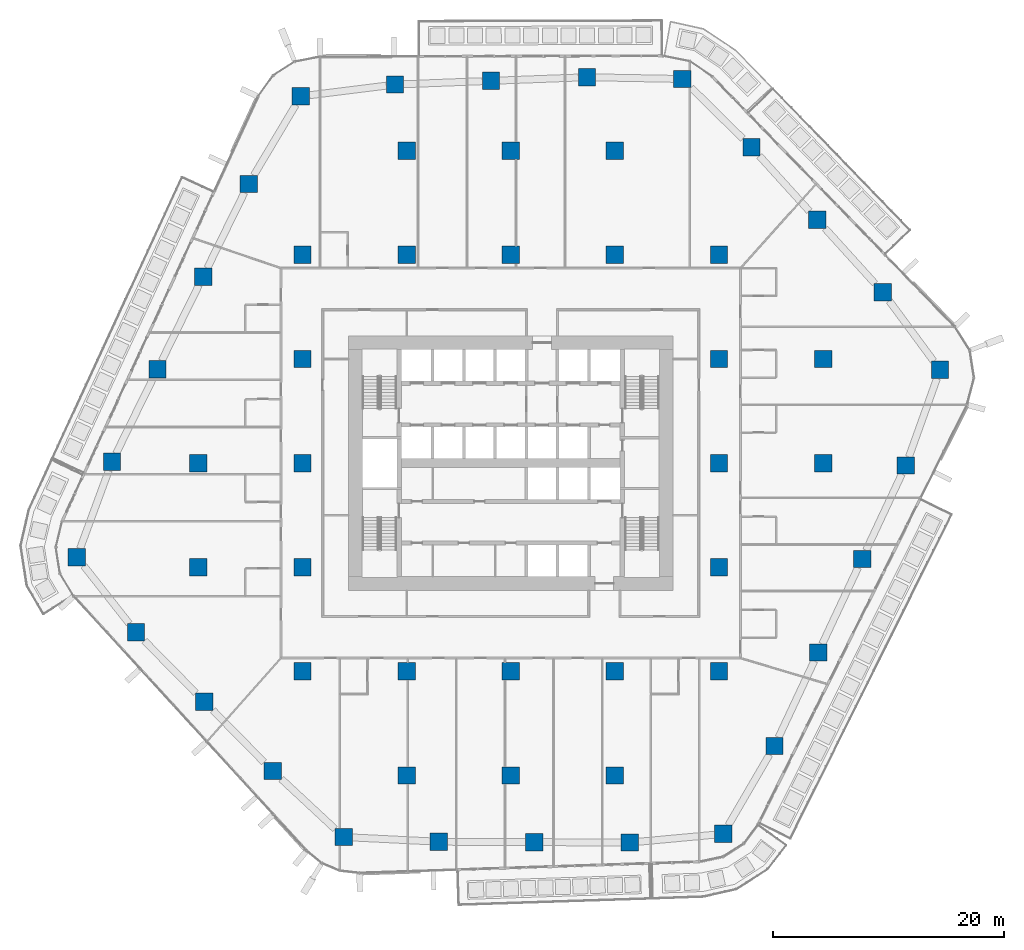
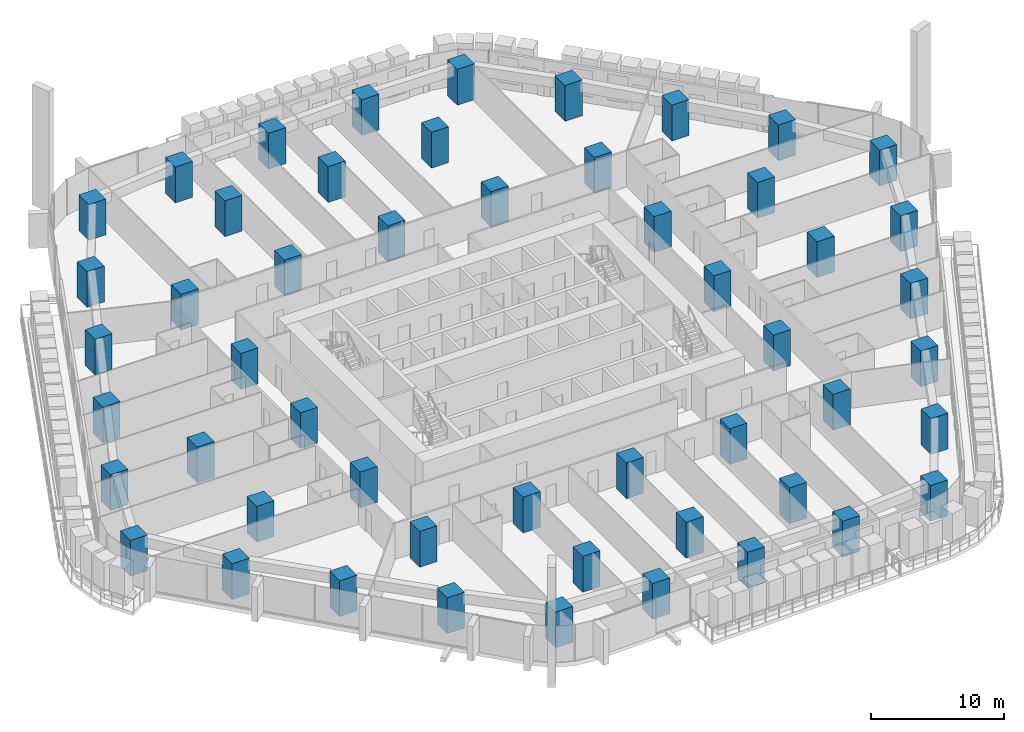
# One storey, part 1 of 27: 52 columns.
"""IFC4 building model written with IfcOpenShell, lengths in metres."""

from ifc_helpers import new_model, si_unit, direction, frame, origin, origin_2d, place, context, subcontext, project, spatial, rectangle, extrude, material, material_profile, profile_set, type_object, element, save


model = new_model("IFC4")

# Units and contexts
model_context = context("Model", 3, precision=1e-05, world=origin(), true_north=direction((0.0, 1.0)))
body_context = subcontext(model_context, "Body", "Model", "MODEL_VIEW")
ifc_project = project(units=[si_unit("LENGTHUNIT", "METRE"), si_unit("AREAUNIT", "SQUARE_METRE"), si_unit("VOLUMEUNIT", "CUBIC_METRE"), si_unit("PLANEANGLEUNIT", "RADIAN"), si_unit("MASSUNIT", "GRAM", prefix="KILO")], contexts=[model_context])

# Site, building, storey
site_placement = place(None, origin())
site = spatial("IfcSite", under=ifc_project, at=site_placement, CompositionType="ELEMENT")
building_placement = place(site_placement, origin())
building = spatial("IfcBuilding", under=site, at=building_placement, Name="Dongbaek Canopy Tower", CompositionType="ELEMENT")
storey_placement = place(building_placement, frame((0.0, 0.0, 55.10009765625)))
storey = spatial("IfcBuildingStorey", under=building, at=storey_placement, Name="L09", CompositionType="ELEMENT", Elevation=55.10009765625)

# Columns
ifc_material = material(Name="Concrete C80", Category="concrete")
ifc_material_profile = material_profile(ifc_material, rectangle(XDim=1.5, YDim=1.5, at=origin_2d()), Name="RC COLUMN 1500x1500 C80")
ifc_profile_set = profile_set([ifc_material_profile], Name="Concrete C80")
column_type = type_object("IfcColumnType", Name="RC COLUMN 1500x1500 C80", PredefinedType="COLUMN", material=ifc_profile_set)
for number, where, z_axis, x_axis, name in (
    (1, (18.367919921875, -32.04296875, 0.0), (0.0, 0.0, 1.0), (1.0, 0.0, 0.0), "COL:CZ1-01:L09"),
    (2, (10.277099609375, -32.7900390625, 0.0), (0.0, 0.0, 1.0), (1.0, 0.0, 0.0), "COL:CZ1-02:L09"),
    (3, (2.027099609375, -32.7529296875, 0.0), (0.0, 0.0, 1.0), (1.0, 0.0, 0.0), "COL:CZ1-03:L09"),
    (4, (-6.221923828125, -32.717041015625, 0.0), (0.0, 0.0, 1.0), (1.0, 0.0, 0.0), "COL:CZ1-04:L09"),
    (5, (-14.43408203125, -32.31298828125, 0.0), (0.0, 0.0, 1.0), (1.0, 0.0, 0.0), "COL:CZ1-05:L09"),
    (6, (-20.573974609375, -26.60205078125, 0.0), (0.0, 0.0, 1.0), (1.0, 0.0, 0.0), "COL:CZ1-06:L09"),
    (7, (-26.47802734375, -20.60791015625, 0.0), (0.0, 0.0, 1.0), (1.0, 0.0, 0.0), "COL:CZ1-07:L09"),
    (8, (-32.382080078125, -14.613037109375, 0.0), (0.0, 0.0, 1.0), (1.0, 0.0, 0.0), "COL:CZ1-08:L09"),
    (9, (-37.489013671875, -8.123046875, 0.0), (0.0, 0.0, 1.0), (1.0, 0.0, 0.0), "COL:CZ1-09:L09"),
    (10, (-34.462890625, 0.10302734375, 0.0), (0.0, 0.0, 1.0), (1.0, 0.0, 0.0), "COL:CZ1-10:L09"),
    (11, (-30.52490234375, 8.111083984375, 0.0), (0.0, 0.0, 1.0), (1.0, 0.0, 0.0), "COL:CZ1-11:L09"),
    (12, (-26.5859375, 16.117919921875, 0.0), (0.0, 0.0, 1.0), (1.0, 0.0, 0.0), "COL:CZ1-12:L09"),
    (13, (-22.64794921875, 24.125, 0.0), (0.0, 0.0, 1.0), (1.0, 0.0, 0.0), "COL:CZ1-13:L09"),
    (14, (-18.138916015625, 31.698974609375, 0.0), (0.0, 0.0, 1.0), (1.0, 0.0, 0.0), "COL:CZ1-14:L09"),
    (15, (-10.006103515625, 32.714111328125, 0.0), (0.0, 0.0, 1.0), (1.0, 0.0, 0.0), "COL:CZ1-15:L09"),
    (16, (-1.7080078125, 33.031982421875, 0.0), (0.0, 0.0, 1.0), (1.0, 0.0, 0.0), "COL:CZ1-16:L09"),
    (17, (6.589111328125, 33.34912109375, 0.0), (0.0, 0.0, 1.0), (1.0, 0.0, 0.0), "COL:CZ1-17:L09"),
    (18, (14.830078125, 33.194091796875, 0.0), (0.0, 0.0, 1.0), (1.0, 0.0, 0.0), "COL:CZ1-18:L09"),
    (19, (20.804931640625, 27.297119140625, 0.0), (0.0, 0.0, 1.0), (1.0, 0.0, 0.0), "COL:CZ1-19:L09"),
    (20, (26.48193359375, 21.029052734375, 0.0), (0.0, 0.0, 1.0), (1.0, 0.0, 0.0), "COL:CZ1-20:L09"),
    (21, (32.157958984375, 14.760986328125, 0.0), (0.0, 0.0, 1.0), (1.0, 0.0, 0.0), "COL:CZ1-21:L09"),
    (22, (37.097900390625, 8.06591796875, 0.0), (0.0, 0.0, 1.0), (1.0, 0.0, 0.0), "COL:CZ1-22:L09"),
    (23, (34.14306640625, -0.205078125, 0.0), (0.0, 0.0, 1.0), (1.0, 0.0, 0.0), "COL:CZ1-23:L09"),
    (24, (30.360107421875, -8.283935546875, 0.0), (0.0, 0.0, 1.0), (1.0, 0.0, 0.0), "COL:CZ1-24:L09"),
    (25, (26.575927734375, -16.364013671875, 0.0), (0.0, 0.0, 1.0), (1.0, 0.0, 0.0), "COL:CZ1-25:L09"),
    (26, (22.7919921875, -24.443115234375, 0.0), (0.0, 0.0, 1.0), (1.0, 0.0, 0.0), "COL:CZ1-26:L09"),
    (27, (-27.0, -9.0, 0.0), (0.0, 0.0, 1.0), (1.0, 0.0, 0.0), "COL:CIZ1-01:L09"),
    (28, (-27.0, 0.0, 0.0), (0.0, 0.0, 1.0), (1.0, 0.0, 0.0), "COL:CIZ1-02:L09"),
    (29, (-18.0, -18.0, 0.0), (0.0, 0.0, 1.0), (1.0, 0.0, 0.0), "COL:CIZ1-03:L09"),
    (30, (-18.0, -9.0, 0.0), (0.0, 0.0, 1.0), (1.0, 0.0, 0.0), "COL:CIZ1-04:L09"),
    (31, (-18.0, 0.0, 0.0), (0.0, 0.0, 1.0), (1.0, 0.0, 0.0), "COL:CIZ1-05:L09"),
    (32, (-18.0, 9.0, 0.0), (0.0, 0.0, 1.0), (1.0, 0.0, 0.0), "COL:CIZ1-06:L09"),
    (33, (-18.0, 18.0, 0.0), (0.0, 0.0, 1.0), (1.0, 0.0, 0.0), "COL:CIZ1-07:L09"),
    (34, (-9.0, -27.0, 0.0), (0.0, 0.0, 1.0), (1.0, 0.0, 0.0), "COL:CIZ1-08:L09"),
    (35, (-9.0, -18.0, 0.0), (0.0, 0.0, 1.0), (1.0, 0.0, 0.0), "COL:CIZ1-09:L09"),
    (36, (-9.0, 18.0, 0.0), (0.0, 0.0, 1.0), (1.0, 0.0, 0.0), "COL:CIZ1-10:L09"),
    (37, (-9.0, 27.0, 0.0), (0.0, 0.0, 1.0), (1.0, 0.0, 0.0), "COL:CIZ1-11:L09"),
    (38, (0.0, -27.0, 0.0), (0.0, 0.0, 1.0), (1.0, 0.0, 0.0), "COL:CIZ1-12:L09"),
    (39, (0.0, -18.0, 0.0), (0.0, 0.0, 1.0), (1.0, 0.0, 0.0), "COL:CIZ1-13:L09"),
    (40, (0.0, 18.0, 0.0), (0.0, 0.0, 1.0), (1.0, 0.0, 0.0), "COL:CIZ1-14:L09"),
    (41, (0.0, 27.0, 0.0), (0.0, 0.0, 1.0), (1.0, 0.0, 0.0), "COL:CIZ1-15:L09"),
    (42, (9.0, -27.0, 0.0), (0.0, 0.0, 1.0), (1.0, 0.0, 0.0), "COL:CIZ1-16:L09"),
    (43, (9.0, -18.0, 0.0), (0.0, 0.0, 1.0), (1.0, 0.0, 0.0), "COL:CIZ1-17:L09"),
    (44, (9.0, 18.0, 0.0), (0.0, 0.0, 1.0), (1.0, 0.0, 0.0), "COL:CIZ1-18:L09"),
    (45, (9.0, 27.0, 0.0), (0.0, 0.0, 1.0), (1.0, 0.0, 0.0), "COL:CIZ1-19:L09"),
    (46, (18.0, -18.0, 0.0), (0.0, 0.0, 1.0), (1.0, 0.0, 0.0), "COL:CIZ1-20:L09"),
    (47, (18.0, -9.0, 0.0), (0.0, 0.0, 1.0), (1.0, 0.0, 0.0), "COL:CIZ1-21:L09"),
    (48, (18.0, 0.0, 0.0), (0.0, 0.0, 1.0), (1.0, 0.0, 0.0), "COL:CIZ1-22:L09"),
    (49, (18.0, 9.0, 0.0), (0.0, 0.0, 1.0), (1.0, 0.0, 0.0), "COL:CIZ1-23:L09"),
    (50, (18.0, 18.0, 0.0), (0.0, 0.0, 1.0), (1.0, 0.0, 0.0), "COL:CIZ1-24:L09"),
    (51, (27.0, 0.0, 0.0), (0.0, 0.0, 1.0), (1.0, 0.0, 0.0), "COL:CIZ1-25:L09"),
    (52, (27.0, 9.0, 0.0), (0.0, 0.0, 1.0), (1.0, 0.0, 0.0), "COL:CIZ1-26:L09"),
):
    element("IfcColumn", number, at=place(storey_placement, frame(where, z_axis=z_axis, x_axis=x_axis)), inside=storey, type_object=column_type, Name=name, PredefinedType="COLUMN", context=body_context, shape_type="SweptSolid", body=[
        extrude(rectangle(XDim=1.5, YDim=1.5, at=origin_2d()), origin(), (0.0, 0.0, 1.0), 3.2998046875),
    ])

save(model, "model.ifc")
